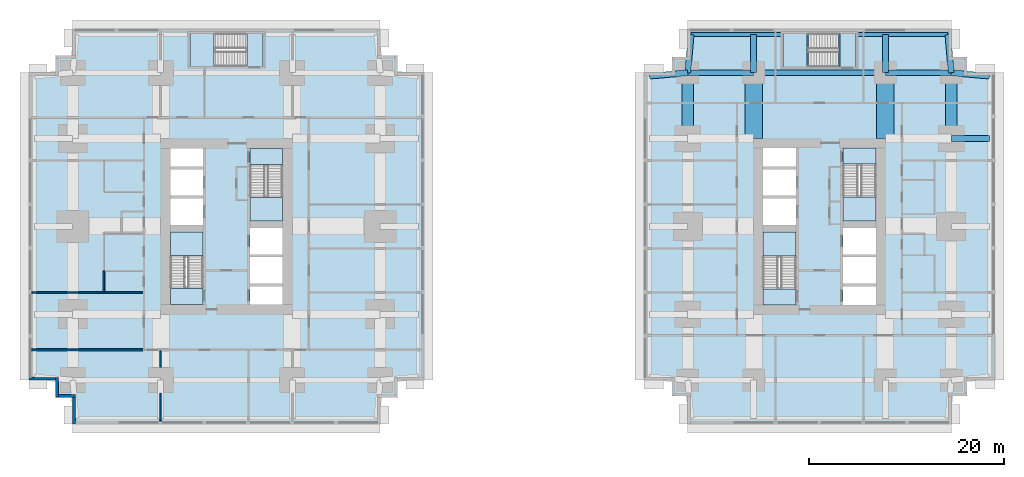
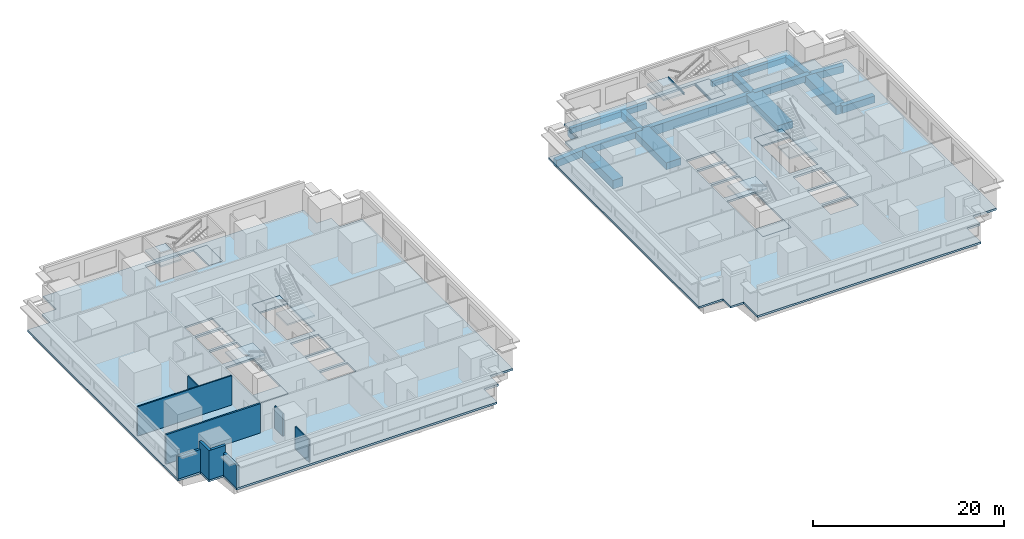
# One storey, part 2 of 11: 18 beams, 14 slabs, 9 walls, 6 elements without a shape of their own.
"""IFC4 building model written with IfcOpenShell, lengths in metres."""

import ifcopenshell
import ifcopenshell.guid

model = None  # the IFC model being written
_history = None  # IfcOwnerHistory: only IFC2X3 demands one
_inside = {}  # id of a spatial element -> (the spatial element, [elements in it])
_under = {}  # id of a project, library or spatial element -> (it, [spatial elements below it])
_declared = {}  # id of a project -> (the project, [libraries it declares])
_typed = {}  # id of a type object -> (the type object, [elements of that type])
_made_of = {}  # id of a material, layer set ... -> (it, [elements and type objects made of it])


def new_model(schema):
    """Start an empty IFC model of exactly this schema.

    Asked for "IFC4X3", IfcOpenShell would pick the latest addendum, in which some entities
    have other attributes; the version numbers below select the first issue.
    IFC2X3 requires an IfcOwnerHistory on every rooted entity: one is made here for all.
    """
    global model, _history
    if schema == "IFC4X3":
        model = ifcopenshell.file(schema_version=(4, 3, 0, 0))
    else:
        model = ifcopenshell.file(schema=schema)
    _inside.clear()
    _under.clear()
    _declared.clear()
    _typed.clear()
    _made_of.clear()
    _history = None
    if model.schema == "IFC2X3":
        org = make("IfcOrganization", Name="unknown")
        user = make(
            "IfcPersonAndOrganization",
            ThePerson=make("IfcPerson", FamilyName="unknown"),
            TheOrganization=org,
        )
        app = make(
            "IfcApplication",
            ApplicationDeveloper=org,
            Version="unknown",
            ApplicationFullName="unknown",
            ApplicationIdentifier="unknown",
        )
        _history = make(
            "IfcOwnerHistory",
            OwningUser=user,
            OwningApplication=app,
            ChangeAction="ADDED",
            CreationDate=0,
        )
    return model


def make(cls, **values):
    """One entity of the class cls with the attributes given. An attribute that is None is left unset."""
    return model.create_entity(
        cls, **{name: value for name, value in values.items() if value is not None}
    )


def rooted(cls, **values):
    """An entity with a GlobalId (a new one), such as an element, a storey or a relation."""
    return make(cls, GlobalId=ifcopenshell.guid.new(), OwnerHistory=_history, **values)


def si_unit(unit_type, name, prefix=None):
    """IfcSIUnit, for example si_unit("LENGTHUNIT", "METRE", prefix="MILLI")."""
    return make("IfcSIUnit", UnitType=unit_type, Prefix=prefix, Name=name)


def assignment(units):
    """IfcUnitAssignment: the units of a project."""
    return None if units is None else make("IfcUnitAssignment", Units=units)


def point(xyz):
    """IfcCartesianPoint."""
    return None if xyz is None else make("IfcCartesianPoint", Coordinates=xyz)


def direction(xyz):
    """IfcDirection."""
    return None if xyz is None else make("IfcDirection", DirectionRatios=xyz)


def frame(location, z_axis=None, x_axis=None):
    """IfcAxis2Placement3D, a coordinate frame: its origin and axes. An axis left out is left unset."""
    return make(
        "IfcAxis2Placement3D",
        Location=point(location),
        Axis=direction(z_axis),
        RefDirection=direction(x_axis),
    )


def frame_2d(location, x_axis=None):
    """IfcAxis2Placement2D, a coordinate frame in the plane: its origin and x axis."""
    return make(
        "IfcAxis2Placement2D", Location=point(location), RefDirection=direction(x_axis)
    )


def origin():
    """The frame at (0, 0, 0) with its axes left unset."""
    return frame((0.0, 0.0, 0.0))


def origin_2d():
    """The frame at (0, 0) in the plane with its x axis left unset."""
    return frame_2d((0.0, 0.0))


def place(relative_to, where):
    """IfcLocalPlacement: puts the frame where relative to a parent placement (None: the world)."""
    return make(
        "IfcLocalPlacement", PlacementRelTo=relative_to, RelativePlacement=where
    )


def context(
    kind, dimensions, precision=None, world=None, true_north=None, identifier=None
):
    """IfcGeometricRepresentationContext, for example the 3D "Model" context."""
    return make(
        "IfcGeometricRepresentationContext",
        ContextIdentifier=identifier,
        ContextType=kind,
        CoordinateSpaceDimension=dimensions,
        Precision=precision,
        WorldCoordinateSystem=world,
        TrueNorth=true_north,
    )


def subcontext(parent, identifier, kind, view, scale=None):
    """IfcGeometricRepresentationSubContext, for example "Body" below "Model"."""
    return make(
        "IfcGeometricRepresentationSubContext",
        ContextIdentifier=identifier,
        ContextType=kind,
        ParentContext=parent,
        TargetScale=scale,
        TargetView=view,
    )


def project(units=None, contexts=None):
    """IfcProject with its units and contexts."""
    return rooted(
        "IfcProject",
        Name="project",
        RepresentationContexts=contexts,
        UnitsInContext=assignment(units),
    )


def spatial(cls, under=None, at=None, **own):
    """A site, building, storey or space (cls), placed at a placement, below another one or the project."""
    s = rooted(cls, ObjectPlacement=at, **own)
    if under is not None:
        _under.setdefault(under.id(), (under, []))[1].append(s)
    return s


def polyline(points):
    """IfcPolyline through the points."""
    return make("IfcPolyline", Points=[point(p) for p in points])


def profile(cls, at=None, kind="AREA", **sizes):
    """A parametric profile (cls). Its sizes go by their IFC names, for example OverallWidth=200.0."""
    return make(cls, ProfileType=kind, Position=at, **sizes)


def rectangle(**sizes):
    """IfcRectangleProfileDef."""
    return profile("IfcRectangleProfileDef", **sizes)


def i_section(**sizes):
    """IfcIShapeProfileDef."""
    return profile("IfcIShapeProfileDef", **sizes)


def outline(outer, holes=None, kind="AREA"):
    """IfcArbitraryClosedProfileDef: a profile drawn as a closed curve; with holes, ...WithVoids."""
    if holes is None:
        return make("IfcArbitraryClosedProfileDef", ProfileType=kind, OuterCurve=outer)
    return make(
        "IfcArbitraryProfileDefWithVoids",
        ProfileType=kind,
        OuterCurve=outer,
        InnerCurves=holes,
    )


def extrude(swept, where, along, depth):
    """IfcExtrudedAreaSolid: the profile swept, set in the frame where, extruded along a direction by depth."""
    return make(
        "IfcExtrudedAreaSolid",
        SweptArea=swept,
        Position=where,
        ExtrudedDirection=direction(along),
        Depth=depth,
    )


def shape(context_of_items, identifier, shape_type, items):
    """IfcShapeRepresentation: the items that make up one representation, for example the "Body"."""
    return make(
        "IfcShapeRepresentation",
        ContextOfItems=context_of_items,
        RepresentationIdentifier=identifier,
        RepresentationType=shape_type,
        Items=items,
    )


def material(Name=None, Category=None):
    """IfcMaterial."""
    return make("IfcMaterial", Name=Name, Category=Category)


def layer(
    of_material, thickness, ventilated=None, Name=None, Category=None, Priority=None
):
    """IfcMaterialLayer: one layer of a wall or slab, of a material (None: an air gap)."""
    return make(
        "IfcMaterialLayer",
        Material=of_material,
        LayerThickness=thickness,
        IsVentilated=ventilated,
        Name=Name,
        Category=Category,
        Priority=Priority,
    )


def layer_set(layers, Name=None):
    """IfcMaterialLayerSet."""
    return make("IfcMaterialLayerSet", MaterialLayers=layers, LayerSetName=Name)


def material_profile(
    of_material, cross_section, Name=None, Category=None, Priority=None
):
    """IfcMaterialProfile: a cross section and its material."""
    return make(
        "IfcMaterialProfile",
        Name=Name,
        Material=of_material,
        Profile=cross_section,
        Priority=Priority,
        Category=Category,
    )


def profile_set(profiles, Name=None, composite=None):
    """IfcMaterialProfileSet."""
    return make(
        "IfcMaterialProfileSet",
        Name=Name,
        MaterialProfiles=profiles,
        CompositeProfile=composite,
    )


def made_of(thing, what):
    """Note that an element or type object is made of a material, layer set ...; save() writes the relation."""
    if what is not None:
        _made_of.setdefault(what.id(), (what, []))[1].append(thing)
    return thing


def type_object(cls, material=None, **own):
    """A type object (cls), such as IfcWallType, which elements share."""
    return made_of(rooted(cls, **own), material)


def element(
    cls,
    number,
    at=None,
    inside=None,
    cuts=None,
    type_object=None,
    material=None,
    context=None,
    identifier="Body",
    shape_type=None,
    held_by="IfcProductDefinitionShape",
    body=None,
    shapes=None,
    **own,
):
    """One element of the class cls, such as IfcWall. Its Tag is "e" and its number.

    at: its placement. inside: the storey or other place that contains it. cuts: it is an
    opening in that element (IfcRelVoidsElement). A single representation is given by context,
    identifier, shape_type and body (its items); several are given by shapes. held_by: the class
    of the entity that holds the representations. save() writes the other relations.
    """
    e = rooted(cls, Tag="e%d" % number, ObjectPlacement=at, **own)
    if body is not None:
        shapes = [shape(context, identifier, shape_type, body)]
    if shapes is not None:
        e.Representation = make(held_by, Representations=shapes)
    if inside is not None:
        _inside.setdefault(inside.id(), (inside, []))[1].append(e)
    if cuts is not None:
        rooted(
            "IfcRelVoidsElement", RelatingBuildingElement=cuts, RelatedOpeningElement=e
        )
    if type_object is not None:
        _typed.setdefault(type_object.id(), (type_object, []))[1].append(e)
    return made_of(e, material)


def aggregate(whole, parts):
    """IfcRelAggregates: a whole, such as a stair, and the parts it consists of."""
    return rooted("IfcRelAggregates", RelatingObject=whole, RelatedObjects=parts)


def save(model, path):
    """Write the relations noted so far, then the file.

    IfcRelAggregates (storeys below a building ...), IfcRelContainedInSpatialStructure (elements
    in a storey), IfcRelDefinesByType, IfcRelAssociatesMaterial and IfcRelDeclares: one each for
    every whole, place, type object, material and project.
    """
    for whole, parts in _under.values():
        aggregate(whole, parts)
    for where, things in _inside.values():
        rooted(
            "IfcRelContainedInSpatialStructure",
            RelatedElements=things,
            RelatingStructure=where,
        )
    for kind, things in _typed.values():
        rooted("IfcRelDefinesByType", RelatedObjects=things, RelatingType=kind)
    for what, things in _made_of.values():
        rooted("IfcRelAssociatesMaterial", RelatedObjects=things, RelatingMaterial=what)
    for by, libraries in _declared.values():
        rooted("IfcRelDeclares", RelatingContext=by, RelatedDefinitions=libraries)
    model.write(path)


model = new_model("IFC4")

# Units and contexts
model_context = context("Model", 3, precision=1e-05, world=origin(), true_north=direction((0.0, 1.0)))
body_context = subcontext(model_context, "Body", "Model", "MODEL_VIEW")
ifc_project = project(units=[si_unit("LENGTHUNIT", "METRE"), si_unit("AREAUNIT", "SQUARE_METRE"), si_unit("VOLUMEUNIT", "CUBIC_METRE"), si_unit("PLANEANGLEUNIT", "RADIAN"), si_unit("MASSUNIT", "GRAM", prefix="KILO")], contexts=[model_context])

# Site, building, storey
site_placement = place(None, origin())
site = spatial("IfcSite", under=ifc_project, at=site_placement, CompositionType="ELEMENT")
building_placement = place(site_placement, origin())
building = spatial("IfcBuilding", under=site, at=building_placement, Name="Namib Vertical Campus", CompositionType="ELEMENT")
storey_placement = place(building_placement, frame((0.0, 0.0, 29.0)))
storey = spatial("IfcBuildingStorey", under=building, at=storey_placement, Name="L06", CompositionType="ELEMENT", Elevation=29.0)

# Beams
ifc_material_1 = material(Name="Concrete C40/50", Category="concrete")
ifc_material_profile_1 = material_profile(ifc_material_1, rectangle(XDim=0.60009765625, YDim=0.89990234375, at=origin_2d()))
ifc_profile_set_1 = profile_set([ifc_material_profile_1], Name="Concrete C40/50")
beam_type_1 = type_object("IfcBeamType", Name="Cantilever girder RC 600x900", PredefinedType="BEAM", material=ifc_profile_set_1)
beam_1_placement = place(storey_placement, frame((67.5, 36.0, -0.699951171875), z_axis=(0.089411326146, 0.995994786511, 0.0), x_axis=(-0.995994786511, 0.089411326146, 0.0)))
element("IfcBeam", 1, at=beam_1_placement, inside=storey, type_object=beam_type_1, Name="Beam B3 L06", PredefinedType="BEAM", context=body_context, shape_type="SweptSolid", body=[
    extrude(rectangle(XDim=0.60009765625, YDim=0.89990234375, at=origin_2d()), origin(), (0.0, 0.0, 1.0), 3.91552734375),
])
for number, where, z_axis, x_axis, name in (
    (2, (74.25, 36.0, -0.699951171875), (0.0, 1.0, 0.0), (-1.0, 0.0, 0.0), "Beam B3 L06"),
    (3, (87.75, 36.0, -0.699951171875), (0.0, 1.0, 0.0), (-1.0, 0.0, 0.0), "Beam B3 L06"),
):
    element("IfcBeam", number, at=place(storey_placement, frame(where, z_axis=z_axis, x_axis=x_axis)), inside=storey, type_object=beam_type_1, Name=name, PredefinedType="BEAM", context=body_context, shape_type="SweptSolid", body=[
        extrude(rectangle(XDim=0.60009765625, YDim=0.89990234375, at=origin_2d()), origin(), (0.0, 0.0, 1.0), 3.89990234375),
    ])
for number, where, z_axis, x_axis, name in (
    (4, (94.5, 36.0, -0.699951171875), (-0.089411326146, 0.995994786511, 0.0), (-0.995994786511, -0.089411326146, 0.0), "Beam B3 L06"),
    (5, (67.5, 36.0, -0.699951171875), (-0.995994786511, -0.089411326146, 0.0), (0.089411326146, -0.995994786511, 0.0), "Beam B3 L06"),
):
    element("IfcBeam", number, at=place(storey_placement, frame(where, z_axis=z_axis, x_axis=x_axis)), inside=storey, type_object=beam_type_1, Name=name, PredefinedType="BEAM", context=body_context, shape_type="SweptSolid", body=[
        extrude(rectangle(XDim=0.60009765625, YDim=0.89990234375, at=origin_2d()), origin(), (0.0, 0.0, 1.0), 3.91552734375),
    ])
beam_2_placement = place(storey_placement, frame((94.5, 29.25, -0.699951171875), z_axis=(1.0, 0.0, 0.0), x_axis=(0.0, 1.0, 0.0)))
element("IfcBeam", 6, at=beam_2_placement, inside=storey, type_object=beam_type_1, Name="Beam B3 L06", PredefinedType="BEAM", context=body_context, shape_type="SweptSolid", body=[
    extrude(rectangle(XDim=0.60009765625, YDim=0.89990234375, at=origin_2d()), origin(), (0.0, 0.0, 1.0), 3.89990234375),
])
beam_3_placement = place(storey_placement, frame((94.5, 36.0, -0.699951171875), z_axis=(0.995994786511, -0.089411326146, 0.0), x_axis=(0.089411326146, 0.995994786511, 0.0)))
element("IfcBeam", 7, at=beam_3_placement, inside=storey, type_object=beam_type_1, Name="Beam B3 L06", PredefinedType="BEAM", context=body_context, shape_type="SweptSolid", body=[
    extrude(rectangle(XDim=0.60009765625, YDim=0.89990234375, at=origin_2d()), origin(), (0.0, 0.0, 1.0), 3.91552734375),
])
ifc_material_2 = material(Name="Concrete C40/50", Category="concrete")
ifc_material_profile_2 = material_profile(ifc_material_2, rectangle(XDim=0.39990234375, YDim=0.699951171875, at=origin_2d()))
ifc_profile_set_2 = profile_set([ifc_material_profile_2], Name="Concrete C40/50")
beam_type_2 = type_object("IfcBeamType", Name="Edge beam RC 400x700", PredefinedType="SPANDREL", material=ifc_profile_set_2)
for number, where, z_axis, x_axis, name in (
    (8, (67.85009765625, 39.89990234375, -0.60009765625), (1.0, 0.0, 0.0), (0.0, 1.0, 0.0), "Beam B4 L06"),
    (9, (84.949951171875, 39.89990234375, -0.60009765625), (1.0, 0.0, 0.0), (0.0, 1.0, 0.0), "Beam B4 L06"),
):
    element("IfcBeam", number, at=place(storey_placement, frame(where, z_axis=z_axis, x_axis=x_axis)), inside=storey, type_object=beam_type_2, Name=name, PredefinedType="SPANDREL", context=body_context, shape_type="SweptSolid", body=[
        extrude(rectangle(XDim=0.39990234375, YDim=0.699951171875, at=origin_2d()), origin(), (0.0, 0.0, 1.0), 9.199951171875),
    ])
ifc_material_3 = material(Name="Concrete C40/50", Category="concrete")
ifc_material_profile_3 = material_profile(ifc_material_3, rectangle(XDim=1.199951171875, YDim=1.10009765625, at=origin_2d()))
ifc_profile_set_3 = profile_set([ifc_material_profile_3], Name="Concrete C40/50")
beam_type_3 = type_object("IfcBeamType", Name="Face ring beam RC 1200x1100", PredefinedType="BEAM", material=ifc_profile_set_3)
for number, where, z_axis, x_axis, name in (
    (10, (67.5, 29.25, -0.800048828125), (0.0, 1.0, 0.0), (-1.0, 0.0, 0.0), "Beam B11 L06"),
    (11, (94.5, 29.25, -0.800048828125), (0.0, 1.0, 0.0), (-1.0, 0.0, 0.0), "Beam B11 L06"),
):
    element("IfcBeam", number, at=place(storey_placement, frame(where, z_axis=z_axis, x_axis=x_axis)), inside=storey, type_object=beam_type_3, Name=name, PredefinedType="BEAM", context=body_context, shape_type="SweptSolid", body=[
        extrude(rectangle(XDim=1.199951171875, YDim=1.10009765625, at=origin_2d()), origin(), (0.0, 0.0, 1.0), 6.75),
    ])
ifc_material_4 = material(Name="Steel S355JR", Category="steel")
ifc_material_profile_4 = material_profile(ifc_material_4, i_section(OverallWidth=0.14599609375, OverallDepth=0.25146484375, WebThickness=0.006103515625, FlangeThickness=0.008544921875, FilletRadius=0.007568359375, at=origin_2d()))
ifc_profile_set_4 = profile_set([ifc_material_profile_4], Name="Steel S355JR")
beam_type_4 = type_object("IfcBeamType", Name="Landing trimmer UB 254x146x31", PredefinedType="BEAM", material=ifc_profile_set_4)
for number, where, z_axis, x_axis, name in (
    (12, (83.02294921875, 36.60009765625, -0.125732421875), (0.0, 1.0, 0.0), (-1.0, 0.0, 0.0), "Landing trimmer LT1 B-S3 L06 1"),
    (13, (79.796875, 36.60009765625, 1.874267578125), (0.0, 1.0, 0.0), (-1.0, 0.0, 0.0), "Landing trimmer LT1 B-S3 L06 2"),
):
    element("IfcBeam", number, at=place(storey_placement, frame(where, z_axis=z_axis, x_axis=x_axis)), inside=storey, type_object=beam_type_4, Name=name, PredefinedType="BEAM", context=body_context, shape_type="SweptSolid", body=[
        extrude(i_section(OverallWidth=0.14599609375, OverallDepth=0.25146484375, WebThickness=0.006103515625, FlangeThickness=0.008544921875, FilletRadius=0.007568359375, at=origin_2d()), origin(), (0.0, 0.0, 1.0), 3.39990234375),
    ])
ifc_material_5 = material(Name="Concrete C40/50", Category="concrete")
ifc_material_profile_5 = material_profile(ifc_material_5, rectangle(XDim=0.60009765625, YDim=1.199951171875, at=origin_2d()))
ifc_profile_set_5 = profile_set([ifc_material_profile_5], Name="Concrete C40/50")
beam_type_5 = type_object("IfcBeamType", Name="Long-span ring beam RC 600x1200", PredefinedType="BEAM", material=ifc_profile_set_5)
beam_4_placement = place(storey_placement, frame((74.25, 36.0, -0.85009765625), z_axis=(1.0, 0.0, 0.0), x_axis=(0.0, 1.0, 0.0)))
element("IfcBeam", 14, at=beam_4_placement, inside=storey, type_object=beam_type_5, Name="Beam B9 L06", PredefinedType="BEAM", context=body_context, shape_type="SweptSolid", body=[
    extrude(rectangle(XDim=0.60009765625, YDim=1.199951171875, at=origin_2d()), origin(), (0.0, 0.0, 1.0), 13.5),
])
ifc_material_6 = material(Name="Concrete C40/50", Category="concrete")
ifc_material_profile_6 = material_profile(ifc_material_6, rectangle(XDim=1.800048828125, YDim=0.89990234375, at=origin_2d()))
ifc_profile_set_6 = profile_set([ifc_material_profile_6], Name="Concrete C40/50")
beam_type_6 = type_object("IfcBeamType", Name="Outrigger line girder RC 1800x900", PredefinedType="BEAM", material=ifc_profile_set_6)
for number, where, z_axis, x_axis, name in (
    (15, (74.25, 36.0, -0.699951171875), (0.0, -1.0, 0.0), (1.0, 0.0, 0.0), "Beam B12 L06"),
    (16, (87.75, 36.0, -0.699951171875), (0.0, -1.0, 0.0), (1.0, 0.0, 0.0), "Beam B12 L06"),
):
    element("IfcBeam", number, at=place(storey_placement, frame(where, z_axis=z_axis, x_axis=x_axis)), inside=storey, type_object=beam_type_6, Name=name, PredefinedType="BEAM", context=body_context, shape_type="SweptSolid", body=[
        extrude(rectangle(XDim=1.800048828125, YDim=0.89990234375, at=origin_2d()), origin(), (0.0, 0.0, 1.0), 6.75),
    ])
ifc_material_7 = material(Name="Concrete C40/50", Category="concrete")
ifc_material_profile_7 = material_profile(ifc_material_7, rectangle(XDim=0.60009765625, YDim=0.800048828125, at=origin_2d()))
ifc_profile_set_7 = profile_set([ifc_material_profile_7], Name="Concrete C40/50")
beam_type_7 = type_object("IfcBeamType", Name="Ring beam RC 600x800", PredefinedType="BEAM", material=ifc_profile_set_7)
for number, where, z_axis, x_axis, name in (
    (17, (67.5, 36.0, -0.64990234375), (1.0, 0.0, 0.0), (0.0, 1.0, 0.0), "Beam B1 L06"),
    (18, (87.75, 36.0, -0.64990234375), (1.0, 0.0, 0.0), (0.0, 1.0, 0.0), "Beam B1 L06"),
):
    element("IfcBeam", number, at=place(storey_placement, frame(where, z_axis=z_axis, x_axis=x_axis)), inside=storey, type_object=beam_type_7, Name=name, PredefinedType="BEAM", context=body_context, shape_type="SweptSolid", body=[
        extrude(rectangle(XDim=0.60009765625, YDim=0.800048828125, at=origin_2d()), origin(), (0.0, 0.0, 1.0), 6.75),
    ])

# Slabs
ifc_material_8 = material(Name="Concrete C40/50", Category="concrete")
ifc_layer_1 = layer(ifc_material_8, 0.25)
ifc_layer_set_1 = layer_set([ifc_layer_1], Name="Concrete C40/50")
slab_type_1 = type_object("IfcSlabType", Name="Floor slab 250", PredefinedType="FLOOR", material=ifc_layer_set_1)
slab_1_placement = place(storey_placement, frame((0.0, 0.0, -0.25)))
element("IfcSlab", 19, at=slab_1_placement, inside=storey, type_object=slab_type_1, Name="Floor slab A L06", PredefinedType="FLOOR", context=body_context, shape_type="SweptSolid", body=[
    extrude(outline(polyline([(4.5, 0.0), (36.0, 0.0), (36.0, 2.75), (37.75, 2.75), (37.75, 4.5), (40.5, 4.5), (40.5, 36.0), (37.75, 36.0), (37.75, 37.75), (36.0, 37.75), (36.0, 40.5), (4.5, 40.5), (4.5, 37.75), (2.75, 37.75), (2.75, 36.0), (0.0, 36.0), (0.0, 4.5), (2.75, 4.5), (2.75, 2.75), (4.5, 2.75), (4.5, 0.0)]), holes=[polyline([(14.5, 12.25), (17.85009765625, 12.25), (17.85009765625, 19.699951171875), (14.5, 19.699951171875), (14.5, 12.25)]), polyline([(22.64990234375, 20.800048828125), (26.0, 20.800048828125), (26.0, 28.25), (22.64990234375, 28.25), (22.64990234375, 20.800048828125)]), polyline([(22.64990234375, 12.25), (26.0, 12.25), (26.0, 14.10009765625), (22.64990234375, 14.10009765625), (22.64990234375, 12.25)]), polyline([(14.5, 20.39990234375), (17.85009765625, 20.39990234375), (17.85009765625, 23.10009765625), (14.5, 23.10009765625), (14.5, 20.39990234375)]), polyline([(14.5, 23.39990234375), (17.85009765625, 23.39990234375), (17.85009765625, 26.10009765625), (14.5, 26.10009765625), (14.5, 23.39990234375)]), polyline([(14.5, 26.39990234375), (17.85009765625, 26.39990234375), (17.85009765625, 28.25), (14.5, 28.25), (14.5, 26.39990234375)]), polyline([(22.64990234375, 14.39990234375), (26.0, 14.39990234375), (26.0, 17.10009765625), (22.64990234375, 17.10009765625), (22.64990234375, 14.39990234375)]), polyline([(22.64990234375, 17.39990234375), (26.0, 17.39990234375), (26.0, 20.10009765625), (22.64990234375, 20.10009765625), (22.64990234375, 17.39990234375)]), polyline([(16.5, 36.64990234375), (24.0, 36.64990234375), (24.0, 40.0), (16.5, 40.0), (16.5, 36.64990234375)])]), origin(), (0.0, 0.0, 1.0), 0.25),
])
slab_2_placement = place(storey_placement, frame((0.0, 0.0, -0.25)))
element("IfcSlab", 20, at=slab_2_placement, inside=storey, type_object=slab_type_1, Name="Floor slab B L06", PredefinedType="FLOOR", context=body_context, shape_type="SweptSolid", body=[
    extrude(outline(polyline([(67.5, 0.0), (94.5, 0.0), (94.5, 2.89990234375), (96.10009765625, 2.89990234375), (96.10009765625, 4.5), (99.0, 4.5), (99.0, 36.0), (96.10009765625, 36.0), (96.10009765625, 37.60009765625), (94.5, 37.60009765625), (94.5, 40.5), (67.5, 40.5), (67.5, 37.60009765625), (65.89990234375, 37.60009765625), (65.89990234375, 36.0), (63.0, 36.0), (63.0, 4.5), (65.89990234375, 4.5), (65.89990234375, 2.89990234375), (67.5, 2.89990234375), (67.5, 0.0)]), holes=[polyline([(75.199951171875, 12.199951171875), (78.60009765625, 12.199951171875), (78.60009765625, 19.699951171875), (75.199951171875, 19.699951171875), (75.199951171875, 12.199951171875)]), polyline([(83.39990234375, 20.800048828125), (86.800048828125, 20.800048828125), (86.800048828125, 28.300048828125), (83.39990234375, 28.300048828125), (83.39990234375, 20.800048828125)]), polyline([(83.39990234375, 12.199951171875), (86.800048828125, 12.199951171875), (86.800048828125, 14.10009765625), (83.39990234375, 14.10009765625), (83.39990234375, 12.199951171875)]), polyline([(75.199951171875, 20.39990234375), (78.60009765625, 20.39990234375), (78.60009765625, 23.10009765625), (75.199951171875, 23.10009765625), (75.199951171875, 20.39990234375)]), polyline([(75.199951171875, 23.39990234375), (78.60009765625, 23.39990234375), (78.60009765625, 26.10009765625), (75.199951171875, 26.10009765625), (75.199951171875, 23.39990234375)]), polyline([(75.199951171875, 26.39990234375), (78.60009765625, 26.39990234375), (78.60009765625, 28.300048828125), (75.199951171875, 28.300048828125), (75.199951171875, 26.39990234375)]), polyline([(83.39990234375, 14.39990234375), (86.800048828125, 14.39990234375), (86.800048828125, 17.10009765625), (83.39990234375, 17.10009765625), (83.39990234375, 14.39990234375)]), polyline([(83.39990234375, 17.39990234375), (86.800048828125, 17.39990234375), (86.800048828125, 20.10009765625), (83.39990234375, 20.10009765625), (83.39990234375, 17.39990234375)]), polyline([(77.25, 36.60009765625), (84.75, 36.60009765625), (84.75, 40.0), (77.25, 40.0), (77.25, 36.60009765625)])]), origin(), (0.0, 0.0, 1.0), 0.25),
])

# Stair, slabs
ifc_material_9 = material(Name="Concrete C40/50 precast", Category="concrete")
stair_type_1 = type_object("IfcStairType", Name="Exit stair 4000 rise 24 risers 3350 wide", PredefinedType="HALF_TURN_STAIR", material=ifc_material_9)
stair_1_placement = place(storey_placement, origin())
stair_1 = element("IfcStair", 21, at=stair_1_placement, inside=storey, type_object=stair_type_1, Name="Exit stair A-S1 L06", PredefinedType="HALF_TURN_STAIR")
ifc_material_10 = material(Name="Concrete C40/50", Category="concrete")
ifc_layer_2 = layer(ifc_material_10, 0.199951171875)
ifc_layer_set_2 = layer_set([ifc_layer_2], Name="Concrete C40/50")
slab_type_2 = type_object("IfcSlabType", Name="Stair landing 200", PredefinedType="LANDING", material=ifc_layer_set_2)
slab_3_placement = place(storey_placement, frame((0.0, 0.0, -0.199951171875)))
slab_3 = element("IfcSlab", 22, at=slab_3_placement, type_object=slab_type_2, Name="A-S1 landing 1", PredefinedType="LANDING", context=body_context, shape_type="SweptSolid", body=[
    extrude(outline(polyline([(14.5, 12.25), (17.85009765625, 12.25), (17.85009765625, 13.90380859375), (14.5, 13.90380859375), (14.5, 12.25)])), origin(), (0.0, 0.0, 1.0), 0.199951171875),
])
slab_4_placement = place(storey_placement, frame((0.0, 0.0, 1.800048828125)))
slab_4 = element("IfcSlab", 23, at=slab_4_placement, type_object=slab_type_2, Name="A-S1 landing 2", PredefinedType="LANDING", context=body_context, shape_type="SweptSolid", body=[
    extrude(outline(polyline([(14.5, 17.276123046875), (17.85009765625, 17.276123046875), (17.85009765625, 19.699951171875), (14.5, 19.699951171875), (14.5, 17.276123046875)])), origin(), (0.0, 0.0, 1.0), 0.199951171875),
])
aggregate(stair_1, [slab_3, slab_4])

stair_2_placement = place(storey_placement, origin())
stair_2 = element("IfcStair", 24, at=stair_2_placement, inside=storey, type_object=stair_type_1, Name="Exit stair A-S2 L06", PredefinedType="HALF_TURN_STAIR")
slab_5_placement = place(storey_placement, frame((0.0, 0.0, -0.199951171875)))
slab_5 = element("IfcSlab", 25, at=slab_5_placement, type_object=slab_type_2, Name="A-S2 landing 1", PredefinedType="LANDING", context=body_context, shape_type="SweptSolid", body=[
    extrude(outline(polyline([(22.64990234375, 26.59619140625), (26.0, 26.59619140625), (26.0, 28.25), (22.64990234375, 28.25), (22.64990234375, 26.59619140625)])), origin(), (0.0, 0.0, 1.0), 0.199951171875),
])
slab_6_placement = place(storey_placement, frame((0.0, 0.0, 1.800048828125)))
slab_6 = element("IfcSlab", 26, at=slab_6_placement, type_object=slab_type_2, Name="A-S2 landing 2", PredefinedType="LANDING", context=body_context, shape_type="SweptSolid", body=[
    extrude(outline(polyline([(22.64990234375, 20.800048828125), (26.0, 20.800048828125), (26.0, 23.223876953125), (22.64990234375, 23.223876953125), (22.64990234375, 20.800048828125)])), origin(), (0.0, 0.0, 1.0), 0.199951171875),
])
aggregate(stair_2, [slab_5, slab_6])

ifc_material_11 = material(Name="Concrete C40/50 precast", Category="concrete")
stair_type_2 = type_object("IfcStairType", Name="Exit stair 4000 rise 24 risers 3400 wide", PredefinedType="HALF_TURN_STAIR", material=ifc_material_11)
stair_3_placement = place(storey_placement, origin())
stair_3 = element("IfcStair", 27, at=stair_3_placement, inside=storey, type_object=stair_type_2, Name="Exit stair B-S1 L06", PredefinedType="HALF_TURN_STAIR")
slab_7_placement = place(storey_placement, frame((0.0, 0.0, -0.199951171875)))
slab_7 = element("IfcSlab", 28, at=slab_7_placement, type_object=slab_type_2, Name="B-S1 landing 1", PredefinedType="LANDING", context=body_context, shape_type="SweptSolid", body=[
    extrude(outline(polyline([(75.199951171875, 12.199951171875), (78.60009765625, 12.199951171875), (78.60009765625, 13.85400390625), (75.199951171875, 13.85400390625), (75.199951171875, 12.199951171875)])), origin(), (0.0, 0.0, 1.0), 0.199951171875),
])
slab_8_placement = place(storey_placement, frame((0.0, 0.0, 1.800048828125)))
slab_8 = element("IfcSlab", 29, at=slab_8_placement, type_object=slab_type_2, Name="B-S1 landing 2", PredefinedType="LANDING", context=body_context, shape_type="SweptSolid", body=[
    extrude(outline(polyline([(75.199951171875, 17.22607421875), (78.60009765625, 17.22607421875), (78.60009765625, 19.699951171875), (75.199951171875, 19.699951171875), (75.199951171875, 17.22607421875)])), origin(), (0.0, 0.0, 1.0), 0.199951171875),
])
aggregate(stair_3, [slab_7, slab_8])

stair_4_placement = place(storey_placement, origin())
stair_4 = element("IfcStair", 30, at=stair_4_placement, inside=storey, type_object=stair_type_2, Name="Exit stair B-S2 L06", PredefinedType="HALF_TURN_STAIR")
slab_9_placement = place(storey_placement, frame((0.0, 0.0, -0.199951171875)))
slab_9 = element("IfcSlab", 31, at=slab_9_placement, type_object=slab_type_2, Name="B-S2 landing 1", PredefinedType="LANDING", context=body_context, shape_type="SweptSolid", body=[
    extrude(outline(polyline([(83.39990234375, 26.64599609375), (86.800048828125, 26.64599609375), (86.800048828125, 28.300048828125), (83.39990234375, 28.300048828125), (83.39990234375, 26.64599609375)])), origin(), (0.0, 0.0, 1.0), 0.199951171875),
])
slab_10_placement = place(storey_placement, frame((0.0, 0.0, 1.800048828125)))
slab_10 = element("IfcSlab", 32, at=slab_10_placement, type_object=slab_type_2, Name="B-S2 landing 2", PredefinedType="LANDING", context=body_context, shape_type="SweptSolid", body=[
    extrude(outline(polyline([(83.39990234375, 20.800048828125), (86.800048828125, 20.800048828125), (86.800048828125, 23.27392578125), (83.39990234375, 23.27392578125), (83.39990234375, 20.800048828125)])), origin(), (0.0, 0.0, 1.0), 0.199951171875),
])
aggregate(stair_4, [slab_9, slab_10])

stair_5_placement = place(storey_placement, origin())
stair_5 = element("IfcStair", 33, at=stair_5_placement, inside=storey, type_object=stair_type_1, Name="Exit stair A-S3 L06", PredefinedType="HALF_TURN_STAIR")
slab_11_placement = place(storey_placement, frame((0.0, 0.0, -0.199951171875)))
slab_11 = element("IfcSlab", 34, at=slab_11_placement, type_object=slab_type_2, Name="A-S3 landing 1", PredefinedType="LANDING", context=body_context, shape_type="SweptSolid", body=[
    extrude(outline(polyline([(22.34619140625, 36.64990234375), (22.34619140625, 40.0), (24.0, 40.0), (24.0, 36.64990234375), (22.34619140625, 36.64990234375)])), origin(), (0.0, 0.0, 1.0), 0.199951171875),
])
slab_12_placement = place(storey_placement, frame((0.0, 0.0, 1.800048828125)))
slab_12 = element("IfcSlab", 35, at=slab_12_placement, type_object=slab_type_2, Name="A-S3 landing 2", PredefinedType="LANDING", context=body_context, shape_type="SweptSolid", body=[
    extrude(outline(polyline([(16.5, 36.64990234375), (16.5, 40.0), (18.973876953125, 40.0), (18.973876953125, 36.64990234375), (16.5, 36.64990234375)])), origin(), (0.0, 0.0, 1.0), 0.199951171875),
])
aggregate(stair_5, [slab_11, slab_12])

stair_6_placement = place(storey_placement, origin())
stair_6 = element("IfcStair", 36, at=stair_6_placement, inside=storey, type_object=stair_type_2, Name="Exit stair B-S3 L06", PredefinedType="HALF_TURN_STAIR")
slab_13_placement = place(storey_placement, frame((0.0, 0.0, -0.199951171875)))
slab_13 = element("IfcSlab", 37, at=slab_13_placement, type_object=slab_type_2, Name="B-S3 landing 1", PredefinedType="LANDING", context=body_context, shape_type="SweptSolid", body=[
    extrude(outline(polyline([(83.09619140625, 36.60009765625), (83.09619140625, 40.0), (84.75, 40.0), (84.75, 36.60009765625), (83.09619140625, 36.60009765625)])), origin(), (0.0, 0.0, 1.0), 0.199951171875),
])
slab_14_placement = place(storey_placement, frame((0.0, 0.0, 1.800048828125)))
slab_14 = element("IfcSlab", 38, at=slab_14_placement, type_object=slab_type_2, Name="B-S3 landing 2", PredefinedType="LANDING", context=body_context, shape_type="SweptSolid", body=[
    extrude(outline(polyline([(77.25, 36.60009765625), (77.25, 40.0), (79.723876953125, 40.0), (79.723876953125, 36.60009765625), (77.25, 36.60009765625)])), origin(), (0.0, 0.0, 1.0), 0.199951171875),
])
aggregate(stair_6, [slab_13, slab_14])

# Walls
ifc_material_12 = material(Name="Concrete masonry", Category="masonry")
ifc_layer_3 = layer(ifc_material_12, 0.199951171875)
ifc_layer_set_3 = layer_set([ifc_layer_3], Name="Corridor wall 200")
wall_type_1 = type_object("IfcWallType", Name="Corridor wall 200", PredefinedType="SOLIDWALL", material=ifc_layer_set_3)
wall_1_placement = place(storey_placement, frame((0.300048828125, 7.60009765625, 0.0), z_axis=(0.0, 0.0, 1.0), x_axis=(1.0, 0.0, 0.0)))
element("IfcWall", 39, at=wall_1_placement, inside=storey, type_object=wall_type_1, Name="Partition A L06 BSW", PredefinedType="SOLIDWALL", context=body_context, shape_type="SweptSolid", body=[
    extrude(rectangle(XDim=11.39990234375, YDim=0.199951171875, at=frame_2d((5.699951171875, 0.0))), origin(), (0.0, 0.0, 1.0), 3.75),
])
ifc_material_13 = material(Name="Concrete C40/50", Category="concrete")
ifc_layer_4 = layer(ifc_material_13, 0.300048828125)
ifc_layer_set_4 = layer_set([ifc_layer_4], Name="Concrete C40/50")
wall_type_2 = type_object("IfcWallType", Name="External wall 300 board-marked concrete", PredefinedType="STANDARD", material=ifc_layer_set_4)
wall_2_placement = place(storey_placement, frame((0.02001953125, 4.64990234375, 0.0), z_axis=(0.0, 0.0, 1.0), x_axis=(1.0, 0.0, 0.0)))
element("IfcWall", 40, at=wall_2_placement, inside=storey, type_object=wall_type_2, Name="External wall L06 F17", PredefinedType="STANDARD", context=body_context, shape_type="SweptSolid", body=[
    extrude(rectangle(XDim=3.010009765625, YDim=0.300048828125, at=frame_2d((1.5048828125, 0.0))), origin(), (0.0, 0.0, 1.0), 2.85009765625),
])
for number, where, z_axis, x_axis, name in (
    (41, (2.89990234375, 4.780029296875, 0.0), (0.0, 0.0, 1.0), (0.0, -1.0, 0.0), "External wall L06 F18"),
    (42, (2.77001953125, 2.89990234375, 0.0), (0.0, 0.0, 1.0), (1.0, 0.0, 0.0), "External wall L06 F19"),
):
    element("IfcWall", number, at=place(storey_placement, frame(where, z_axis=z_axis, x_axis=x_axis)), inside=storey, type_object=wall_type_2, Name=name, PredefinedType="STANDARD", context=body_context, shape_type="SweptSolid", body=[
        extrude(rectangle(XDim=2.010009765625, YDim=0.300048828125, at=frame_2d((1.0048828125, 0.0))), origin(), (0.0, 0.0, 1.0), 3.75),
    ])
wall_3_placement = place(storey_placement, frame((4.64990234375, 3.030029296875, 0.0), z_axis=(0.0, 0.0, 1.0), x_axis=(0.0, -1.0, 0.0)))
element("IfcWall", 43, at=wall_3_placement, inside=storey, type_object=wall_type_2, Name="External wall L06 F20", PredefinedType="STANDARD", context=body_context, shape_type="SweptSolid", body=[
    extrude(rectangle(XDim=3.010009765625, YDim=0.300048828125, at=frame_2d((1.5048828125, 0.0))), origin(), (0.0, 0.0, 1.0), 2.85009765625),
])
ifc_material_14 = material(Name="Gypsum board on steel studs", Category="steel")
ifc_layer_5 = layer(ifc_material_14, 0.14990234375)
ifc_layer_set_5 = layer_set([ifc_layer_5], Name="Gypsum board on steel studs")
wall_type_3 = type_object("IfcWallType", Name="Partition 150", PredefinedType="PARTITIONING", material=ifc_layer_set_5)
wall_4_placement = place(storey_placement, frame((13.5, 0.300048828125, 0.0), z_axis=(0.0, 0.0, 1.0), x_axis=(0.0, 1.0, 0.0)))
element("IfcWall", 44, at=wall_4_placement, inside=storey, type_object=wall_type_3, Name="Partition A L06 PS1", PredefinedType="PARTITIONING", context=body_context, shape_type="SweptSolid", body=[
    extrude(rectangle(XDim=2.8798828125, YDim=0.14990234375, at=frame_2d((1.43994140625, 0.0))), origin(), (0.0, 0.0, 1.0), 2.85009765625),
])
wall_5_placement = place(storey_placement, frame((13.5, 5.820068359375, 0.0), z_axis=(0.0, 0.0, 1.0), x_axis=(0.0, 1.0, 0.0)))
element("IfcWall", 45, at=wall_5_placement, inside=storey, type_object=wall_type_3, Name="Partition A L06 PS1", PredefinedType="PARTITIONING", context=body_context, shape_type="SweptSolid", body=[
    extrude(rectangle(XDim=1.679931640625, YDim=0.14990234375, at=frame_2d((0.83984375, 0.0))), origin(), (0.0, 0.0, 1.0), 2.85009765625),
])
wall_6_placement = place(storey_placement, frame((0.300048828125, 13.5, 0.0), z_axis=(0.0, 0.0, 1.0), x_axis=(1.0, 0.0, 0.0)))
element("IfcWall", 46, at=wall_6_placement, inside=storey, type_object=wall_type_3, Name="Partition A L06 PW1", PredefinedType="PARTITIONING", context=body_context, shape_type="SweptSolid", body=[
    extrude(rectangle(XDim=11.39990234375, YDim=0.14990234375, at=frame_2d((5.699951171875, 0.0))), origin(), (0.0, 0.0, 1.0), 3.75),
])
wall_7_placement = place(storey_placement, frame((7.699951171875, 13.5, 0.0), z_axis=(0.0, 0.0, 1.0), x_axis=(0.0, 1.0, 0.0)))
element("IfcWall", 47, at=wall_7_placement, inside=storey, type_object=wall_type_3, Name="Partition A L06 WB1", PredefinedType="PARTITIONING", context=body_context, shape_type="SweptSolid", body=[
    extrude(rectangle(XDim=2.199951171875, YDim=0.14990234375, at=frame_2d((1.10009765625, 0.0))), origin(), (0.0, 0.0, 1.0), 3.75),
])

save(model, "model.ifc")
